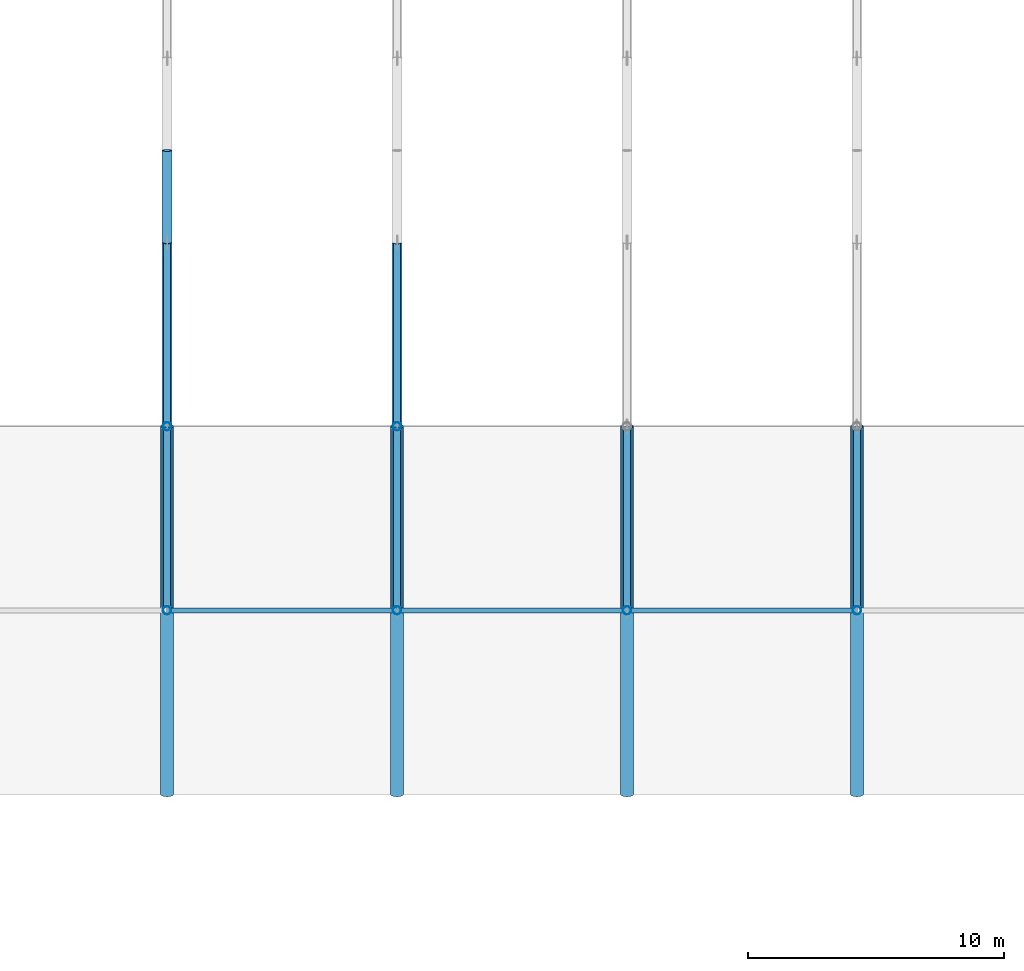
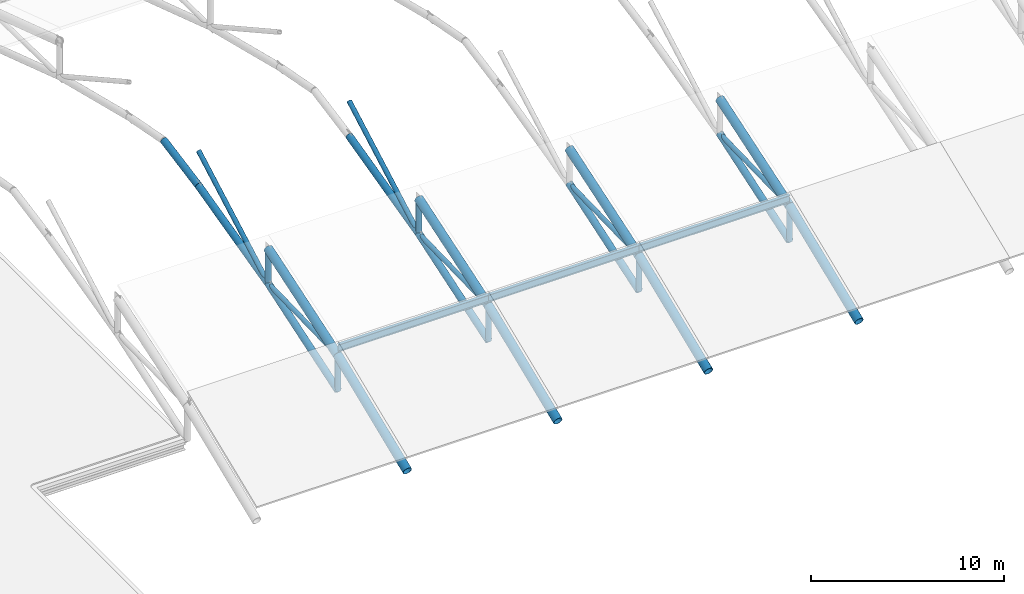
# One storey, part 46 of 78: 30 members.
"""IFC4 building model written with IfcOpenShell, lengths in metres."""

from ifc_helpers import new_model, si_unit, direction, frame, origin, origin_2d, place, context, subcontext, project, spatial, hollow_circle, i_section, extrude, material, material_profile, profile_set, type_object, element, save


model = new_model("IFC4")

# Units and contexts
model_context = context("Model", 3, precision=1e-05, world=origin(), true_north=direction((0.0, 1.0)))
body_context = subcontext(model_context, "Body", "Model", "MODEL_VIEW")
ifc_project = project(units=[si_unit("LENGTHUNIT", "METRE"), si_unit("AREAUNIT", "SQUARE_METRE"), si_unit("VOLUMEUNIT", "CUBIC_METRE"), si_unit("PLANEANGLEUNIT", "RADIAN"), si_unit("MASSUNIT", "GRAM", prefix="KILO")], contexts=[model_context])

# Site, building, storey
site_placement = place(None, origin())
site = spatial("IfcSite", under=ifc_project, at=site_placement, CompositionType="ELEMENT")
building_placement = place(site_placement, origin())
building = spatial("IfcBuilding", under=site, at=building_placement, Name="Celestram Park Convention Centre", CompositionType="ELEMENT")
storey_placement = place(building_placement, frame((0.0, 0.0, 19.800048828125)))
storey = spatial("IfcBuildingStorey", under=building, at=storey_placement, Name="L04", CompositionType="ELEMENT", Elevation=19.800048828125)

# Members
ifc_material_1 = material(Name="Steel ASTM A500 Grade C", Category="steel")
ifc_material_profile_1 = material_profile(ifc_material_1, hollow_circle(Radius=0.136474609375, WallThickness=0.010009765625, at=origin_2d()), Name="CHS273X10")
ifc_profile_set_1 = profile_set([ifc_material_profile_1], Name="Steel ASTM A500 Grade C")
member_type_1 = type_object("IfcMemberType", Name="STR-BRC-CHS273", PredefinedType="BRACE", material=ifc_profile_set_1)
member_1_placement = place(storey_placement, frame((162.0, 122.39990234375, 2.058837890625), z_axis=(0.0, 0.999715212241, 0.023864082104), x_axis=(-1.0, 0.0, 0.0)))
element("IfcMember", 1, at=member_1_placement, inside=storey, type_object=member_type_1, Name="V2 arch web diagonal", PredefinedType="BRACE", context=body_context, shape_type="SweptSolid", body=[
    extrude(hollow_circle(Radius=0.136474609375, WallThickness=0.010009765625, at=origin_2d()), origin(), (0.0, 0.0, 1.0), 7.2021484375),
])
member_2_placement = place(storey_placement, frame((162.0, 129.60009765625, 2.230712890625), z_axis=(0.0, 0.874218793516, 0.485532183344), x_axis=(-1.0, 0.0, 0.0)))
element("IfcMember", 2, at=member_2_placement, inside=storey, type_object=member_type_1, Name="V2 arch web diagonal", PredefinedType="BRACE", context=body_context, shape_type="SweptSolid", body=[
    extrude(hollow_circle(Radius=0.136474609375, WallThickness=0.010009765625, at=origin_2d()), origin(), (0.0, 0.0, 1.0), 8.23583984375),
])
member_3_placement = place(storey_placement, frame((171.0, 122.39990234375, 2.058837890625), z_axis=(0.0, 0.999715212241, 0.023864082104), x_axis=(-1.0, 0.0, 0.0)))
element("IfcMember", 3, at=member_3_placement, inside=storey, type_object=member_type_1, Name="V2 arch web diagonal", PredefinedType="BRACE", context=body_context, shape_type="SweptSolid", body=[
    extrude(hollow_circle(Radius=0.136474609375, WallThickness=0.010009765625, at=origin_2d()), origin(), (0.0, 0.0, 1.0), 7.2021484375),
])
member_4_placement = place(storey_placement, frame((171.0, 129.60009765625, 2.230712890625), z_axis=(0.0, 0.874218793516, 0.485532183344), x_axis=(-1.0, 0.0, 0.0)))
element("IfcMember", 4, at=member_4_placement, inside=storey, type_object=member_type_1, Name="V2 arch web diagonal", PredefinedType="BRACE", context=body_context, shape_type="SweptSolid", body=[
    extrude(hollow_circle(Radius=0.136474609375, WallThickness=0.010009765625, at=origin_2d()), origin(), (0.0, 0.0, 1.0), 8.23583984375),
])
for number, where, z_axis, x_axis, name in (
    (5, (180.0, 122.39990234375, 2.058837890625), (0.0, 0.999715212241, 0.023864082104), (-1.0, 0.0, 0.0), "V2 arch web diagonal"),
    (6, (189.0, 122.39990234375, 2.058837890625), (0.0, 0.999715212241, 0.023864082104), (-1.0, 0.0, 0.0), "V2 arch web diagonal"),
):
    element("IfcMember", number, at=place(storey_placement, frame(where, z_axis=z_axis, x_axis=x_axis)), inside=storey, type_object=member_type_1, Name=name, PredefinedType="BRACE", context=body_context, shape_type="SweptSolid", body=[
        extrude(hollow_circle(Radius=0.136474609375, WallThickness=0.010009765625, at=origin_2d()), origin(), (0.0, 0.0, 1.0), 7.2021484375),
    ])
ifc_material_profile_2 = material_profile(ifc_material_1, hollow_circle(Radius=0.202880859375, WallThickness=0.013916015625, at=origin_2d()), Name="CHS406X14")
ifc_profile_set_2 = profile_set([ifc_material_profile_2], Name="Steel ASTM A500 Grade C")
member_type_2 = type_object("IfcMemberType", Name="STR-CHD-CHS406", PredefinedType="CHORD", material=ifc_profile_set_2)
member_5_placement = place(storey_placement, frame((162.0, 122.39990234375, -0.14111328125), z_axis=(0.0, 0.94979489364, 0.312873233138), x_axis=(-1.0, 0.0, 0.0)))
element("IfcMember", 7, at=member_5_placement, inside=storey, type_object=member_type_2, Name="V2 arch bottom chord", PredefinedType="CHORD", context=body_context, shape_type="SweptSolid", body=[
    extrude(hollow_circle(Radius=0.202880859375, WallThickness=0.013916015625, at=origin_2d()), origin(), (0.0, 0.0, 1.0), 7.580810546875),
])
member_6_placement = place(storey_placement, frame((162.0, 129.60009765625, 2.230712890625), z_axis=(0.0, 0.970179256757, 0.242388551212), x_axis=(-1.0, 0.0, 0.0)))
element("IfcMember", 8, at=member_6_placement, inside=storey, type_object=member_type_2, Name="V2 arch bottom chord", PredefinedType="CHORD", context=body_context, shape_type="SweptSolid", body=[
    extrude(hollow_circle(Radius=0.202880859375, WallThickness=0.013916015625, at=origin_2d()), origin(), (0.0, 0.0, 1.0), 7.421142578125),
])
member_7_placement = place(storey_placement, frame((162.0, 136.800048828125, 4.029541015625), z_axis=(0.0, 0.982406731244, 0.186753887262), x_axis=(-1.0, 0.0, 0.0)))
element("IfcMember", 9, at=member_7_placement, inside=storey, type_object=member_type_2, Name="V2 arch bottom chord", PredefinedType="CHORD", context=body_context, shape_type="SweptSolid", body=[
    extrude(hollow_circle(Radius=0.202880859375, WallThickness=0.013916015625, at=origin_2d()), origin(), (0.0, 0.0, 1.0), 3.664306640625),
])
member_8_placement = place(storey_placement, frame((171.0, 122.39990234375, -0.14111328125), z_axis=(0.0, 0.94979489364, 0.312873233138), x_axis=(-1.0, 0.0, 0.0)))
element("IfcMember", 10, at=member_8_placement, inside=storey, type_object=member_type_2, Name="V2 arch bottom chord", PredefinedType="CHORD", context=body_context, shape_type="SweptSolid", body=[
    extrude(hollow_circle(Radius=0.202880859375, WallThickness=0.013916015625, at=origin_2d()), origin(), (0.0, 0.0, 1.0), 7.580810546875),
])
member_9_placement = place(storey_placement, frame((171.0, 129.60009765625, 2.230712890625), z_axis=(0.0, 0.970179256757, 0.242388551212), x_axis=(-1.0, 0.0, 0.0)))
element("IfcMember", 11, at=member_9_placement, inside=storey, type_object=member_type_2, Name="V2 arch bottom chord", PredefinedType="CHORD", context=body_context, shape_type="SweptSolid", body=[
    extrude(hollow_circle(Radius=0.202880859375, WallThickness=0.013916015625, at=origin_2d()), origin(), (0.0, 0.0, 1.0), 7.421142578125),
])
for number, where, z_axis, x_axis, name in (
    (12, (180.0, 122.39990234375, -0.14111328125), (0.0, 0.94979489364, 0.312873233138), (-1.0, 0.0, 0.0), "V2 arch bottom chord"),
    (13, (189.0, 122.39990234375, -0.14111328125), (0.0, 0.94979489364, 0.312873233138), (-1.0, 0.0, 0.0), "V2 arch bottom chord"),
):
    element("IfcMember", number, at=place(storey_placement, frame(where, z_axis=z_axis, x_axis=x_axis)), inside=storey, type_object=member_type_2, Name=name, PredefinedType="CHORD", context=body_context, shape_type="SweptSolid", body=[
        extrude(hollow_circle(Radius=0.202880859375, WallThickness=0.013916015625, at=origin_2d()), origin(), (0.0, 0.0, 1.0), 7.580810546875),
    ])
ifc_material_profile_3 = material_profile(ifc_material_1, hollow_circle(Radius=0.25390625, WallThickness=0.01611328125, at=origin_2d()), Name="CHS508X16")
ifc_profile_set_3 = profile_set([ifc_material_profile_3], Name="Steel ASTM A500 Grade C")
member_type_3 = type_object("IfcMemberType", Name="STR-CHD-CHS508", PredefinedType="CHORD", material=ifc_profile_set_3)
member_10_placement = place(storey_placement, frame((162.0, 115.199951171875, -0.885986328125), z_axis=(0.0, 0.925574450341, 0.378565630871), x_axis=(-1.0, 0.0, 0.0)))
element("IfcMember", 14, at=member_10_placement, inside=storey, type_object=member_type_3, Name="V2 arch top chord", PredefinedType="CHORD", context=body_context, shape_type="SweptSolid", body=[
    extrude(hollow_circle(Radius=0.25390625, WallThickness=0.01611328125, at=origin_2d()), origin(), (0.0, 0.0, 1.0), 7.77880859375),
])
member_11_placement = place(storey_placement, frame((162.0, 122.39990234375, 2.058837890625), z_axis=(0.0, 0.94979489364, 0.312873233138), x_axis=(-1.0, 0.0, 0.0)))
element("IfcMember", 15, at=member_11_placement, inside=storey, type_object=member_type_3, Name="V2 arch top chord", PredefinedType="CHORD", context=body_context, shape_type="SweptSolid", body=[
    extrude(hollow_circle(Radius=0.25390625, WallThickness=0.01611328125, at=origin_2d()), origin(), (0.0, 0.0, 1.0), 7.580810546875),
])
member_12_placement = place(storey_placement, frame((171.0, 115.199951171875, -0.885986328125), z_axis=(0.0, 0.925574450341, 0.378565630871), x_axis=(-1.0, 0.0, 0.0)))
element("IfcMember", 16, at=member_12_placement, inside=storey, type_object=member_type_3, Name="V2 arch top chord", PredefinedType="CHORD", context=body_context, shape_type="SweptSolid", body=[
    extrude(hollow_circle(Radius=0.25390625, WallThickness=0.01611328125, at=origin_2d()), origin(), (0.0, 0.0, 1.0), 7.77880859375),
])
member_13_placement = place(storey_placement, frame((171.0, 122.39990234375, 2.058837890625), z_axis=(0.0, 0.94979489364, 0.312873233138), x_axis=(-1.0, 0.0, 0.0)))
element("IfcMember", 17, at=member_13_placement, inside=storey, type_object=member_type_3, Name="V2 arch top chord", PredefinedType="CHORD", context=body_context, shape_type="SweptSolid", body=[
    extrude(hollow_circle(Radius=0.25390625, WallThickness=0.01611328125, at=origin_2d()), origin(), (0.0, 0.0, 1.0), 7.580810546875),
])
member_14_placement = place(storey_placement, frame((180.0, 115.199951171875, -0.885986328125), z_axis=(0.0, 0.925574450341, 0.378565630871), x_axis=(-1.0, 0.0, 0.0)))
element("IfcMember", 18, at=member_14_placement, inside=storey, type_object=member_type_3, Name="V2 arch top chord", PredefinedType="CHORD", context=body_context, shape_type="SweptSolid", body=[
    extrude(hollow_circle(Radius=0.25390625, WallThickness=0.01611328125, at=origin_2d()), origin(), (0.0, 0.0, 1.0), 7.77880859375),
])
member_15_placement = place(storey_placement, frame((180.0, 122.39990234375, 2.058837890625), z_axis=(0.0, 0.94979489364, 0.312873233138), x_axis=(-1.0, 0.0, 0.0)))
element("IfcMember", 19, at=member_15_placement, inside=storey, type_object=member_type_3, Name="V2 arch top chord", PredefinedType="CHORD", context=body_context, shape_type="SweptSolid", body=[
    extrude(hollow_circle(Radius=0.25390625, WallThickness=0.01611328125, at=origin_2d()), origin(), (0.0, 0.0, 1.0), 7.580810546875),
])
member_16_placement = place(storey_placement, frame((189.0, 115.199951171875, -0.885986328125), z_axis=(0.0, 0.925574450341, 0.378565630871), x_axis=(-1.0, 0.0, 0.0)))
element("IfcMember", 20, at=member_16_placement, inside=storey, type_object=member_type_3, Name="V2 arch top chord", PredefinedType="CHORD", context=body_context, shape_type="SweptSolid", body=[
    extrude(hollow_circle(Radius=0.25390625, WallThickness=0.01611328125, at=origin_2d()), origin(), (0.0, 0.0, 1.0), 7.77880859375),
])
member_17_placement = place(storey_placement, frame((189.0, 122.39990234375, 2.058837890625), z_axis=(0.0, 0.94979489364, 0.312873233138), x_axis=(-1.0, 0.0, 0.0)))
element("IfcMember", 21, at=member_17_placement, inside=storey, type_object=member_type_3, Name="V2 arch top chord", PredefinedType="CHORD", context=body_context, shape_type="SweptSolid", body=[
    extrude(hollow_circle(Radius=0.25390625, WallThickness=0.01611328125, at=origin_2d()), origin(), (0.0, 0.0, 1.0), 7.580810546875),
])
ifc_material_2 = material(Name="Steel ASTM A992 Grade 50", Category="steel")
ifc_material_profile_4 = material_profile(ifc_material_2, i_section(OverallWidth=0.19091796875, OverallDepth=0.45703125, WebThickness=0.009033203125, FlangeThickness=0.014404296875, at=origin_2d()), Name="W18X50")
ifc_profile_set_4 = profile_set([ifc_material_profile_4], Name="Steel ASTM A992 Grade 50")
member_type_4 = type_object("IfcMemberType", Name="STR-RFT-W18X50", PredefinedType="RAFTER", material=ifc_profile_set_4)
for number, where, z_axis, x_axis, name in (
    (22, (162.0, 122.39990234375, 2.541259765625), (1.0, 0.0, 0.0), (0.0, 1.0, 0.0), "V2 roof purlin"),
    (23, (171.0, 122.39990234375, 2.541259765625), (1.0, 0.0, 0.0), (0.0, 1.0, 0.0), "V2 roof purlin"),
    (24, (180.0, 122.39990234375, 2.541259765625), (1.0, 0.0, 0.0), (0.0, 1.0, 0.0), "V2 roof purlin"),
):
    element("IfcMember", number, at=place(storey_placement, frame(where, z_axis=z_axis, x_axis=x_axis)), inside=storey, type_object=member_type_4, Name=name, PredefinedType="RAFTER", context=body_context, shape_type="SweptSolid", body=[
        extrude(i_section(OverallWidth=0.19091796875, OverallDepth=0.45703125, WebThickness=0.009033203125, FlangeThickness=0.014404296875, at=origin_2d()), origin(), (0.0, 0.0, 1.0), 9.0),
    ])
ifc_material_profile_5 = material_profile(ifc_material_1, hollow_circle(Radius=0.162109375, WallThickness=0.011962890625, at=origin_2d()), Name="CHS324X12")
ifc_profile_set_5 = profile_set([ifc_material_profile_5], Name="Steel ASTM A500 Grade C")
member_type_5 = type_object("IfcMemberType", Name="STR-STR-CHS324", PredefinedType="STRUT", material=ifc_profile_set_5)
for number, where, z_axis, x_axis, name in (
    (25, (162.0, 122.39990234375, -0.14111328125), (0.0, 0.0, 1.0), (1.0, 0.0, 0.0), "V2 arch vertical strut"),
    (26, (162.0, 129.60009765625, 2.230712890625), (0.0, 0.0, 1.0), (1.0, 0.0, 0.0), "V2 arch vertical strut"),
    (27, (171.0, 122.39990234375, -0.14111328125), (0.0, 0.0, 1.0), (1.0, 0.0, 0.0), "V2 arch vertical strut"),
    (28, (171.0, 129.60009765625, 2.230712890625), (0.0, 0.0, 1.0), (1.0, 0.0, 0.0), "V2 arch vertical strut"),
    (29, (180.0, 122.39990234375, -0.14111328125), (0.0, 0.0, 1.0), (1.0, 0.0, 0.0), "V2 arch vertical strut"),
    (30, (189.0, 122.39990234375, -0.14111328125), (0.0, 0.0, 1.0), (1.0, 0.0, 0.0), "V2 arch vertical strut"),
):
    element("IfcMember", number, at=place(storey_placement, frame(where, z_axis=z_axis, x_axis=x_axis)), inside=storey, type_object=member_type_5, Name=name, PredefinedType="STRUT", context=body_context, shape_type="SweptSolid", body=[
        extrude(hollow_circle(Radius=0.162109375, WallThickness=0.011962890625, at=origin_2d()), origin(), (0.0, 0.0, 1.0), 2.199951171875),
    ])

save(model, "model.ifc")
